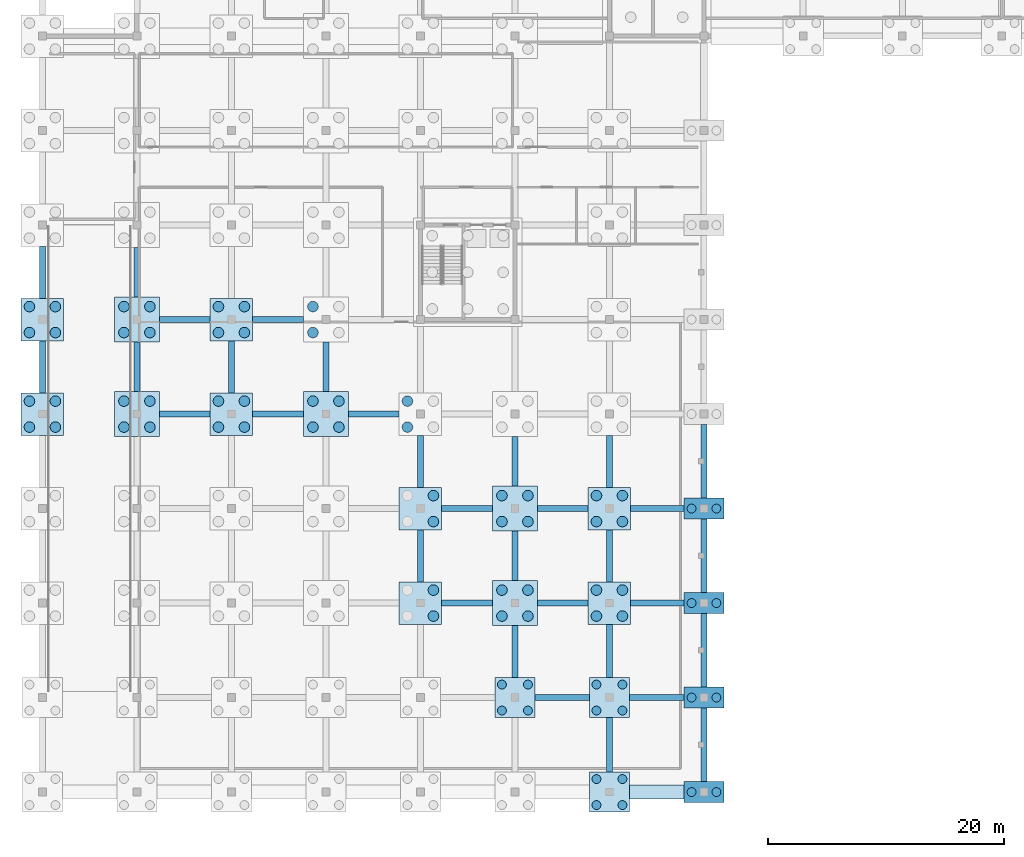
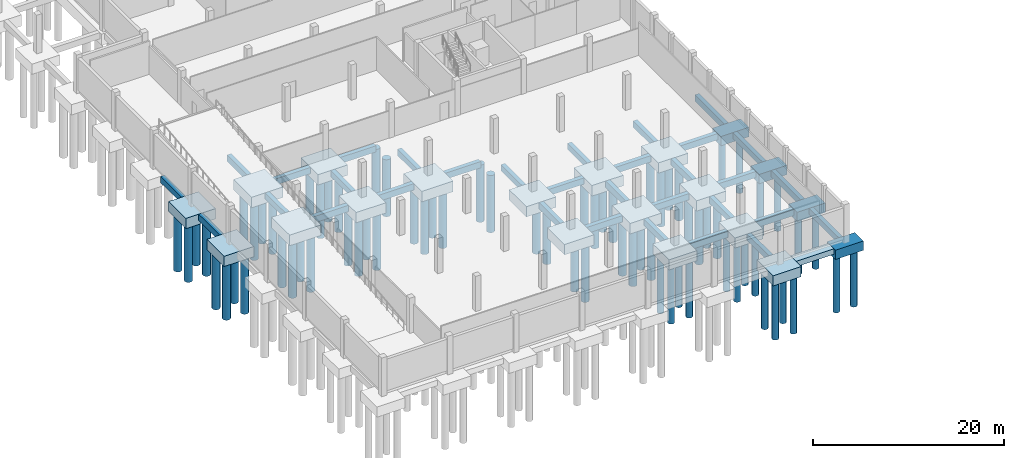
# One storey, part 2 of 22: 72 piles, 53 footings.
"""IFC4 building model written with IfcOpenShell, lengths in metres."""

from ifc_helpers import new_model, si_unit, direction, frame, origin, origin_2d, place, context, subcontext, project, spatial, polyline, rectangle, circle, outline, extrude, material, material_profile, profile_set, type_object, element, save


model = new_model("IFC4")

# Units and contexts
model_context = context("Model", 3, precision=1e-05, world=origin(), true_north=direction((0.0, 1.0)))
body_context = subcontext(model_context, "Body", "Model", "MODEL_VIEW")
ifc_project = project(units=[si_unit("LENGTHUNIT", "METRE"), si_unit("AREAUNIT", "SQUARE_METRE"), si_unit("VOLUMEUNIT", "CUBIC_METRE"), si_unit("PLANEANGLEUNIT", "RADIAN"), si_unit("MASSUNIT", "GRAM", prefix="KILO")], contexts=[model_context])

# Site, building, storey
site_placement = place(None, origin())
site = spatial("IfcSite", under=ifc_project, at=site_placement, CompositionType="ELEMENT")
building_placement = place(site_placement, origin())
building = spatial("IfcBuilding", under=site, at=building_placement, Name="Vharandega Faculty of Natural Sciences", CompositionType="ELEMENT")
storey_placement = place(building_placement, frame((0.0, 0.0, -4.5)))
storey = spatial("IfcBuildingStorey", under=building, at=storey_placement, Name="B01", CompositionType="ELEMENT", Elevation=-4.5)

# Piles
ifc_material_1 = material(Name="Concrete C35/45", Category="concrete")
ifc_material_profile_1 = material_profile(ifc_material_1, circle(Radius=0.375, at=origin_2d()), Name="PILE 750")
ifc_profile_set_1 = profile_set([ifc_material_profile_1], Name="Concrete C35/45")
pile_type_1 = type_object("IfcPileType", Name="Bored Pile 750", PredefinedType="BORED", material=ifc_profile_set_1)
for number, where, z_axis, x_axis, name in (
    (1, (38.89990234375, 6.89990234375, -1.64990234375), (0.0, 0.0, -1.0), (1.0, 0.0, 0.0), "Bored Pile PL-6B-01"),
    (2, (41.10009765625, 6.89990234375, -1.64990234375), (0.0, 0.0, -1.0), (1.0, 0.0, 0.0), "Bored Pile PL-6B-02"),
    (3, (41.10009765625, 9.10009765625, -1.64990234375), (0.0, 0.0, -1.0), (1.0, 0.0, 0.0), "Bored Pile PL-6B-03"),
    (4, (38.89990234375, 9.10009765625, -1.64990234375), (0.0, 0.0, -1.0), (1.0, 0.0, 0.0), "Bored Pile PL-6B-04"),
    (5, (46.89990234375, -1.10009765625, -1.64990234375), (0.0, 0.0, -1.0), (1.0, 0.0, 0.0), "Bored Pile PL-7A-01"),
    (6, (49.10009765625, -1.10009765625, -1.64990234375), (0.0, 0.0, -1.0), (1.0, 0.0, 0.0), "Bored Pile PL-7A-02"),
    (7, (49.10009765625, 1.10009765625, -1.64990234375), (0.0, 0.0, -1.0), (1.0, 0.0, 0.0), "Bored Pile PL-7A-03"),
    (8, (46.89990234375, 1.10009765625, -1.64990234375), (0.0, 0.0, -1.0), (1.0, 0.0, 0.0), "Bored Pile PL-7A-04"),
    (9, (46.89990234375, 6.89990234375, -1.64990234375), (0.0, 0.0, -1.0), (1.0, 0.0, 0.0), "Bored Pile PL-7B-01"),
    (10, (49.10009765625, 6.89990234375, -1.64990234375), (0.0, 0.0, -1.0), (1.0, 0.0, 0.0), "Bored Pile PL-7B-02"),
    (11, (49.10009765625, 9.10009765625, -1.64990234375), (0.0, 0.0, -1.0), (1.0, 0.0, 0.0), "Bored Pile PL-7B-03"),
    (12, (46.89990234375, 9.10009765625, -1.64990234375), (0.0, 0.0, -1.0), (1.0, 0.0, 0.0), "Bored Pile PL-7B-04"),
):
    element("IfcPile", number, at=place(storey_placement, frame(where, z_axis=z_axis, x_axis=x_axis)), inside=storey, type_object=pile_type_1, Name=name, PredefinedType="BORED", context=body_context, shape_type="SweptSolid", body=[
        extrude(circle(Radius=0.375, at=origin_2d()), origin(), (0.0, 0.0, 1.0), 7.35009765625),
    ])
for number, where, z_axis, x_axis, name in (
    (13, (54.949951171875, 0.0, -1.550048828125), (0.0, 0.0, -1.0), (1.0, 0.0, 0.0), "Bored Pile PL-8A-01"),
    (14, (57.050048828125, 0.0, -1.550048828125), (0.0, 0.0, -1.0), (1.0, 0.0, 0.0), "Bored Pile PL-8A-02"),
    (15, (54.949951171875, 8.0, -1.550048828125), (0.0, 0.0, -1.0), (1.0, 0.0, 0.0), "Bored Pile PL-8B-01"),
    (16, (57.050048828125, 8.0, -1.550048828125), (0.0, 0.0, -1.0), (1.0, 0.0, 0.0), "Bored Pile PL-8B-02"),
    (17, (54.949951171875, 16.0, -1.550048828125), (0.0, 0.0, -1.0), (1.0, 0.0, 0.0), "Bored Pile PL-8C-01"),
    (18, (57.050048828125, 16.0, -1.550048828125), (0.0, 0.0, -1.0), (1.0, 0.0, 0.0), "Bored Pile PL-8C-02"),
    (19, (54.949951171875, 24.0, -1.550048828125), (0.0, 0.0, -1.0), (1.0, 0.0, 0.0), "Bored Pile PL-8D-01"),
    (20, (57.050048828125, 24.0, -1.550048828125), (0.0, 0.0, -1.0), (1.0, 0.0, 0.0), "Bored Pile PL-8D-02"),
):
    element("IfcPile", number, at=place(storey_placement, frame(where, z_axis=z_axis, x_axis=x_axis)), inside=storey, type_object=pile_type_1, Name=name, PredefinedType="BORED", context=body_context, shape_type="SweptSolid", body=[
        extrude(circle(Radius=0.375, at=origin_2d()), origin(), (0.0, 0.0, 1.0), 7.449951171875),
    ])
ifc_material_2 = material(Name="Concrete C35/45", Category="concrete")
ifc_material_profile_2 = material_profile(ifc_material_2, circle(Radius=0.449951171875, at=origin_2d()), Name="PILE 900")
ifc_profile_set_2 = profile_set([ifc_material_profile_2], Name="Concrete C35/45")
pile_type_2 = type_object("IfcPileType", Name="Bored Pile 900", PredefinedType="BORED", material=ifc_profile_set_2)
for number, where, z_axis, x_axis, name in (
    (21, (-1.10009765625, 30.89990234375, -1.669921875), (0.0, 0.0, -1.0), (1.0, 0.0, 0.0), "Bored Pile PL-1E-01"),
    (22, (1.10009765625, 30.89990234375, -1.669921875), (0.0, 0.0, -1.0), (1.0, 0.0, 0.0), "Bored Pile PL-1E-02"),
    (23, (1.10009765625, 33.10009765625, -1.669921875), (0.0, 0.0, -1.0), (1.0, 0.0, 0.0), "Bored Pile PL-1E-03"),
    (24, (-1.10009765625, 33.10009765625, -1.669921875), (0.0, 0.0, -1.0), (1.0, 0.0, 0.0), "Bored Pile PL-1E-04"),
    (25, (-1.10009765625, 38.89990234375, -1.669921875), (0.0, 0.0, -1.0), (1.0, 0.0, 0.0), "Bored Pile PL-1F-01"),
    (26, (1.10009765625, 38.89990234375, -1.669921875), (0.0, 0.0, -1.0), (1.0, 0.0, 0.0), "Bored Pile PL-1F-02"),
    (27, (1.10009765625, 41.10009765625, -1.669921875), (0.0, 0.0, -1.0), (1.0, 0.0, 0.0), "Bored Pile PL-1F-03"),
    (28, (-1.10009765625, 41.10009765625, -1.669921875), (0.0, 0.0, -1.0), (1.0, 0.0, 0.0), "Bored Pile PL-1F-04"),
):
    element("IfcPile", number, at=place(storey_placement, frame(where, z_axis=z_axis, x_axis=x_axis)), inside=storey, type_object=pile_type_2, Name=name, PredefinedType="BORED", context=body_context, shape_type="SweptSolid", body=[
        extrude(circle(Radius=0.449951171875, at=origin_2d()), origin(), (0.0, 0.0, 1.0), 7.330078125),
    ])
for number, where, z_axis, x_axis, name in (
    (29, (6.89990234375, 30.89990234375, -1.699951171875), (0.0, 0.0, -1.0), (1.0, 0.0, 0.0), "Bored Pile PL-2E-01"),
    (30, (9.10009765625, 30.89990234375, -1.699951171875), (0.0, 0.0, -1.0), (1.0, 0.0, 0.0), "Bored Pile PL-2E-02"),
    (31, (9.10009765625, 33.10009765625, -1.699951171875), (0.0, 0.0, -1.0), (1.0, 0.0, 0.0), "Bored Pile PL-2E-03"),
    (32, (6.89990234375, 33.10009765625, -1.699951171875), (0.0, 0.0, -1.0), (1.0, 0.0, 0.0), "Bored Pile PL-2E-04"),
    (33, (6.89990234375, 38.89990234375, -1.699951171875), (0.0, 0.0, -1.0), (1.0, 0.0, 0.0), "Bored Pile PL-2F-01"),
    (34, (9.10009765625, 38.89990234375, -1.699951171875), (0.0, 0.0, -1.0), (1.0, 0.0, 0.0), "Bored Pile PL-2F-02"),
    (35, (9.10009765625, 41.10009765625, -1.699951171875), (0.0, 0.0, -1.0), (1.0, 0.0, 0.0), "Bored Pile PL-2F-03"),
    (36, (6.89990234375, 41.10009765625, -1.699951171875), (0.0, 0.0, -1.0), (1.0, 0.0, 0.0), "Bored Pile PL-2F-04"),
):
    element("IfcPile", number, at=place(storey_placement, frame(where, z_axis=z_axis, x_axis=x_axis)), inside=storey, type_object=pile_type_2, Name=name, PredefinedType="BORED", context=body_context, shape_type="SweptSolid", body=[
        extrude(circle(Radius=0.449951171875, at=origin_2d()), origin(), (0.0, 0.0, 1.0), 7.300048828125),
    ])
for number, where, z_axis, x_axis, name in (
    (37, (14.89990234375, 30.89990234375, -1.669921875), (0.0, 0.0, -1.0), (1.0, 0.0, 0.0), "Bored Pile PL-3E-01"),
    (38, (17.10009765625, 30.89990234375, -1.669921875), (0.0, 0.0, -1.0), (1.0, 0.0, 0.0), "Bored Pile PL-3E-02"),
    (39, (17.10009765625, 33.10009765625, -1.669921875), (0.0, 0.0, -1.0), (1.0, 0.0, 0.0), "Bored Pile PL-3E-03"),
    (40, (14.89990234375, 33.10009765625, -1.669921875), (0.0, 0.0, -1.0), (1.0, 0.0, 0.0), "Bored Pile PL-3E-04"),
    (41, (14.89990234375, 38.89990234375, -1.669921875), (0.0, 0.0, -1.0), (1.0, 0.0, 0.0), "Bored Pile PL-3F-01"),
    (42, (17.10009765625, 38.89990234375, -1.669921875), (0.0, 0.0, -1.0), (1.0, 0.0, 0.0), "Bored Pile PL-3F-02"),
    (43, (17.10009765625, 41.10009765625, -1.669921875), (0.0, 0.0, -1.0), (1.0, 0.0, 0.0), "Bored Pile PL-3F-03"),
    (44, (14.89990234375, 41.10009765625, -1.669921875), (0.0, 0.0, -1.0), (1.0, 0.0, 0.0), "Bored Pile PL-3F-04"),
):
    element("IfcPile", number, at=place(storey_placement, frame(where, z_axis=z_axis, x_axis=x_axis)), inside=storey, type_object=pile_type_2, Name=name, PredefinedType="BORED", context=body_context, shape_type="SweptSolid", body=[
        extrude(circle(Radius=0.449951171875, at=origin_2d()), origin(), (0.0, 0.0, 1.0), 7.330078125),
    ])
for number, where, z_axis, x_axis, name in (
    (45, (22.89990234375, 30.89990234375, -1.699951171875), (0.0, 0.0, -1.0), (1.0, 0.0, 0.0), "Bored Pile PL-4E-01"),
    (46, (25.10009765625, 30.89990234375, -1.699951171875), (0.0, 0.0, -1.0), (1.0, 0.0, 0.0), "Bored Pile PL-4E-02"),
    (47, (25.10009765625, 33.10009765625, -1.699951171875), (0.0, 0.0, -1.0), (1.0, 0.0, 0.0), "Bored Pile PL-4E-03"),
    (48, (22.89990234375, 33.10009765625, -1.699951171875), (0.0, 0.0, -1.0), (1.0, 0.0, 0.0), "Bored Pile PL-4E-04"),
    (49, (22.89990234375, 38.89990234375, -1.699951171875), (0.0, 0.0, -1.0), (1.0, 0.0, 0.0), "Bored Pile PL-4F-01"),
    (50, (22.89990234375, 41.10009765625, -1.699951171875), (0.0, 0.0, -1.0), (1.0, 0.0, 0.0), "Bored Pile PL-4F-04"),
):
    element("IfcPile", number, at=place(storey_placement, frame(where, z_axis=z_axis, x_axis=x_axis)), inside=storey, type_object=pile_type_2, Name=name, PredefinedType="BORED", context=body_context, shape_type="SweptSolid", body=[
        extrude(circle(Radius=0.449951171875, at=origin_2d()), origin(), (0.0, 0.0, 1.0), 7.300048828125),
    ])
for number, where, z_axis, x_axis, name in (
    (51, (33.10009765625, 14.89990234375, -1.669921875), (0.0, 0.0, -1.0), (1.0, 0.0, 0.0), "Bored Pile PL-5C-02"),
    (52, (33.10009765625, 17.10009765625, -1.669921875), (0.0, 0.0, -1.0), (1.0, 0.0, 0.0), "Bored Pile PL-5C-03"),
    (53, (33.10009765625, 22.89990234375, -1.669921875), (0.0, 0.0, -1.0), (1.0, 0.0, 0.0), "Bored Pile PL-5D-02"),
    (54, (33.10009765625, 25.10009765625, -1.669921875), (0.0, 0.0, -1.0), (1.0, 0.0, 0.0), "Bored Pile PL-5D-03"),
    (55, (30.89990234375, 30.89990234375, -1.669921875), (0.0, 0.0, -1.0), (1.0, 0.0, 0.0), "Bored Pile PL-5E-01"),
    (56, (30.89990234375, 33.10009765625, -1.669921875), (0.0, 0.0, -1.0), (1.0, 0.0, 0.0), "Bored Pile PL-5E-04"),
):
    element("IfcPile", number, at=place(storey_placement, frame(where, z_axis=z_axis, x_axis=x_axis)), inside=storey, type_object=pile_type_2, Name=name, PredefinedType="BORED", context=body_context, shape_type="SweptSolid", body=[
        extrude(circle(Radius=0.449951171875, at=origin_2d()), origin(), (0.0, 0.0, 1.0), 7.330078125),
    ])
for number, where, z_axis, x_axis, name in (
    (57, (38.89990234375, 14.89990234375, -1.699951171875), (0.0, 0.0, -1.0), (1.0, 0.0, 0.0), "Bored Pile PL-6C-01"),
    (58, (41.10009765625, 14.89990234375, -1.699951171875), (0.0, 0.0, -1.0), (1.0, 0.0, 0.0), "Bored Pile PL-6C-02"),
    (59, (41.10009765625, 17.10009765625, -1.699951171875), (0.0, 0.0, -1.0), (1.0, 0.0, 0.0), "Bored Pile PL-6C-03"),
    (60, (38.89990234375, 17.10009765625, -1.699951171875), (0.0, 0.0, -1.0), (1.0, 0.0, 0.0), "Bored Pile PL-6C-04"),
    (61, (38.89990234375, 22.89990234375, -1.699951171875), (0.0, 0.0, -1.0), (1.0, 0.0, 0.0), "Bored Pile PL-6D-01"),
    (62, (41.10009765625, 22.89990234375, -1.699951171875), (0.0, 0.0, -1.0), (1.0, 0.0, 0.0), "Bored Pile PL-6D-02"),
    (63, (41.10009765625, 25.10009765625, -1.699951171875), (0.0, 0.0, -1.0), (1.0, 0.0, 0.0), "Bored Pile PL-6D-03"),
    (64, (38.89990234375, 25.10009765625, -1.699951171875), (0.0, 0.0, -1.0), (1.0, 0.0, 0.0), "Bored Pile PL-6D-04"),
):
    element("IfcPile", number, at=place(storey_placement, frame(where, z_axis=z_axis, x_axis=x_axis)), inside=storey, type_object=pile_type_2, Name=name, PredefinedType="BORED", context=body_context, shape_type="SweptSolid", body=[
        extrude(circle(Radius=0.449951171875, at=origin_2d()), origin(), (0.0, 0.0, 1.0), 7.300048828125),
    ])
for number, where, z_axis, x_axis, name in (
    (65, (46.89990234375, 14.89990234375, -1.669921875), (0.0, 0.0, -1.0), (1.0, 0.0, 0.0), "Bored Pile PL-7C-01"),
    (66, (49.10009765625, 14.89990234375, -1.669921875), (0.0, 0.0, -1.0), (1.0, 0.0, 0.0), "Bored Pile PL-7C-02"),
    (67, (49.10009765625, 17.10009765625, -1.669921875), (0.0, 0.0, -1.0), (1.0, 0.0, 0.0), "Bored Pile PL-7C-03"),
    (68, (46.89990234375, 17.10009765625, -1.669921875), (0.0, 0.0, -1.0), (1.0, 0.0, 0.0), "Bored Pile PL-7C-04"),
    (69, (46.89990234375, 22.89990234375, -1.669921875), (0.0, 0.0, -1.0), (1.0, 0.0, 0.0), "Bored Pile PL-7D-01"),
    (70, (49.10009765625, 22.89990234375, -1.669921875), (0.0, 0.0, -1.0), (1.0, 0.0, 0.0), "Bored Pile PL-7D-02"),
    (71, (49.10009765625, 25.10009765625, -1.669921875), (0.0, 0.0, -1.0), (1.0, 0.0, 0.0), "Bored Pile PL-7D-03"),
    (72, (46.89990234375, 25.10009765625, -1.669921875), (0.0, 0.0, -1.0), (1.0, 0.0, 0.0), "Bored Pile PL-7D-04"),
):
    element("IfcPile", number, at=place(storey_placement, frame(where, z_axis=z_axis, x_axis=x_axis)), inside=storey, type_object=pile_type_2, Name=name, PredefinedType="BORED", context=body_context, shape_type="SweptSolid", body=[
        extrude(circle(Radius=0.449951171875, at=origin_2d()), origin(), (0.0, 0.0, 1.0), 7.330078125),
    ])

# Footings
ifc_material_3 = material(Name="Concrete C35/45", Category="concrete")
footing_type_1 = type_object("IfcFootingType", Name="Ground Tie Beam 500x800", PredefinedType="FOOTING_BEAM", material=ifc_material_3)
footing_1_placement = place(storey_placement, frame((0.0, 0.0, -1.25)))
element("IfcFooting", 73, at=footing_1_placement, inside=storey, type_object=footing_type_1, Name="Substructure Tie FND-GB-X005", PredefinedType="FOOTING_BEAM", context=body_context, shape_type="SweptSolid", body=[
    extrude(outline(polyline([(41.699951171875, 7.75), (46.300048828125, 7.75), (46.300048828125, 8.25), (41.699951171875, 8.25), (41.699951171875, 7.75)])), origin(), (0.0, 0.0, 1.0), 0.800048828125),
])
footing_2_placement = place(storey_placement, frame((0.0, 0.0, -1.25)))
element("IfcFooting", 74, at=footing_2_placement, inside=storey, type_object=footing_type_1, Name="Substructure Tie FND-GB-X006", PredefinedType="FOOTING_BEAM", context=body_context, shape_type="SweptSolid", body=[
    extrude(outline(polyline([(49.699951171875, 7.75), (54.300048828125, 7.75), (54.300048828125, 8.25), (49.699951171875, 8.25), (49.699951171875, 7.75)])), origin(), (0.0, 0.0, 1.0), 0.800048828125),
])
footing_3_placement = place(storey_placement, frame((0.0, 0.0, -1.25)))
element("IfcFooting", 75, at=footing_3_placement, inside=storey, type_object=footing_type_1, Name="Substructure Tie FND-GB-X010", PredefinedType="FOOTING_BEAM", context=body_context, shape_type="SweptSolid", body=[
    extrude(outline(polyline([(33.800048828125, 15.75), (38.10009765625, 15.75), (38.10009765625, 16.25), (33.800048828125, 16.25), (33.800048828125, 15.75)])), origin(), (0.0, 0.0, 1.0), 0.800048828125),
])
footing_4_placement = place(storey_placement, frame((0.0, 0.0, -1.25)))
element("IfcFooting", 76, at=footing_4_placement, inside=storey, type_object=footing_type_1, Name="Substructure Tie FND-GB-X011", PredefinedType="FOOTING_BEAM", context=body_context, shape_type="SweptSolid", body=[
    extrude(outline(polyline([(41.89990234375, 15.75), (46.199951171875, 15.75), (46.199951171875, 16.25), (41.89990234375, 16.25), (41.89990234375, 15.75)])), origin(), (0.0, 0.0, 1.0), 0.800048828125),
])
footing_5_placement = place(storey_placement, frame((0.0, 0.0, -1.25)))
element("IfcFooting", 77, at=footing_5_placement, inside=storey, type_object=footing_type_1, Name="Substructure Tie FND-GB-X012", PredefinedType="FOOTING_BEAM", context=body_context, shape_type="SweptSolid", body=[
    extrude(outline(polyline([(49.800048828125, 15.75), (54.300048828125, 15.75), (54.300048828125, 16.25), (49.800048828125, 16.25), (49.800048828125, 15.75)])), origin(), (0.0, 0.0, 1.0), 0.800048828125),
])
footing_6_placement = place(storey_placement, frame((0.0, 0.0, -1.25)))
element("IfcFooting", 78, at=footing_6_placement, inside=storey, type_object=footing_type_1, Name="Substructure Tie FND-GB-X016", PredefinedType="FOOTING_BEAM", context=body_context, shape_type="SweptSolid", body=[
    extrude(outline(polyline([(33.800048828125, 23.75), (38.10009765625, 23.75), (38.10009765625, 24.25), (33.800048828125, 24.25), (33.800048828125, 23.75)])), origin(), (0.0, 0.0, 1.0), 0.800048828125),
])
footing_7_placement = place(storey_placement, frame((0.0, 0.0, -1.25)))
element("IfcFooting", 79, at=footing_7_placement, inside=storey, type_object=footing_type_1, Name="Substructure Tie FND-GB-X017", PredefinedType="FOOTING_BEAM", context=body_context, shape_type="SweptSolid", body=[
    extrude(outline(polyline([(41.89990234375, 23.75), (46.199951171875, 23.75), (46.199951171875, 24.25), (41.89990234375, 24.25), (41.89990234375, 23.75)])), origin(), (0.0, 0.0, 1.0), 0.800048828125),
])
footing_8_placement = place(storey_placement, frame((0.0, 0.0, -1.25)))
element("IfcFooting", 80, at=footing_8_placement, inside=storey, type_object=footing_type_1, Name="Substructure Tie FND-GB-X018", PredefinedType="FOOTING_BEAM", context=body_context, shape_type="SweptSolid", body=[
    extrude(outline(polyline([(49.800048828125, 23.75), (54.300048828125, 23.75), (54.300048828125, 24.25), (49.800048828125, 24.25), (49.800048828125, 23.75)])), origin(), (0.0, 0.0, 1.0), 0.800048828125),
])
footing_9_placement = place(storey_placement, frame((0.0, 0.0, -1.25)))
element("IfcFooting", 81, at=footing_9_placement, inside=storey, type_object=footing_type_1, Name="Substructure Tie FND-GB-X019", PredefinedType="FOOTING_BEAM", context=body_context, shape_type="SweptSolid", body=[
    extrude(outline(polyline([(9.89990234375, 31.75), (14.199951171875, 31.75), (14.199951171875, 32.25), (9.89990234375, 32.25), (9.89990234375, 31.75)])), origin(), (0.0, 0.0, 1.0), 0.800048828125),
])
footing_10_placement = place(storey_placement, frame((0.0, 0.0, -1.25)))
element("IfcFooting", 82, at=footing_10_placement, inside=storey, type_object=footing_type_1, Name="Substructure Tie FND-GB-X020", PredefinedType="FOOTING_BEAM", context=body_context, shape_type="SweptSolid", body=[
    extrude(outline(polyline([(17.800048828125, 31.75), (22.10009765625, 31.75), (22.10009765625, 32.25), (17.800048828125, 32.25), (17.800048828125, 31.75)])), origin(), (0.0, 0.0, 1.0), 0.800048828125),
])
footing_11_placement = place(storey_placement, frame((0.0, 0.0, -1.25)))
element("IfcFooting", 83, at=footing_11_placement, inside=storey, type_object=footing_type_1, Name="Substructure Tie FND-GB-X021", PredefinedType="FOOTING_BEAM", context=body_context, shape_type="SweptSolid", body=[
    extrude(outline(polyline([(25.89990234375, 31.75), (30.199951171875, 31.75), (30.199951171875, 32.25), (25.89990234375, 32.25), (25.89990234375, 31.75)])), origin(), (0.0, 0.0, 1.0), 0.800048828125),
])
footing_12_placement = place(storey_placement, frame((0.0, 0.0, -1.25)))
element("IfcFooting", 84, at=footing_12_placement, inside=storey, type_object=footing_type_1, Name="Substructure Tie FND-GB-X025", PredefinedType="FOOTING_BEAM", context=body_context, shape_type="SweptSolid", body=[
    extrude(outline(polyline([(9.89990234375, 39.75), (14.199951171875, 39.75), (14.199951171875, 40.25), (9.89990234375, 40.25), (9.89990234375, 39.75)])), origin(), (0.0, 0.0, 1.0), 0.800048828125),
])
footing_13_placement = place(storey_placement, frame((0.0, 0.0, -1.25)))
element("IfcFooting", 85, at=footing_13_placement, inside=storey, type_object=footing_type_1, Name="Substructure Tie FND-GB-X026", PredefinedType="FOOTING_BEAM", context=body_context, shape_type="SweptSolid", body=[
    extrude(outline(polyline([(17.800048828125, 39.75), (22.10009765625, 39.75), (22.10009765625, 40.25), (17.800048828125, 40.25), (17.800048828125, 39.75)])), origin(), (0.0, 0.0, 1.0), 0.800048828125),
])
footing_14_placement = place(storey_placement, frame((0.0, 0.0, -1.25)))
element("IfcFooting", 86, at=footing_14_placement, inside=storey, type_object=footing_type_1, Name="Substructure Tie FND-GB-Y130", PredefinedType="FOOTING_BEAM", context=body_context, shape_type="SweptSolid", body=[
    extrude(outline(polyline([(-0.25, 33.800048828125), (0.25, 33.800048828125), (0.25, 38.199951171875), (-0.25, 38.199951171875), (-0.25, 33.800048828125)])), origin(), (0.0, 0.0, 1.0), 0.800048828125),
])
footing_15_placement = place(storey_placement, frame((0.0, 0.0, -1.25)))
element("IfcFooting", 87, at=footing_15_placement, inside=storey, type_object=footing_type_1, Name="Substructure Tie FND-GB-Y131", PredefinedType="FOOTING_BEAM", context=body_context, shape_type="SweptSolid", body=[
    extrude(outline(polyline([(-0.25, 41.800048828125), (0.25, 41.800048828125), (0.25, 46.199951171875), (-0.25, 46.199951171875), (-0.25, 41.800048828125)])), origin(), (0.0, 0.0, 1.0), 0.800048828125),
])
footing_16_placement = place(storey_placement, frame((0.0, 0.0, -1.25)))
element("IfcFooting", 88, at=footing_16_placement, inside=storey, type_object=footing_type_1, Name="Substructure Tie FND-GB-Y142", PredefinedType="FOOTING_BEAM", context=body_context, shape_type="SweptSolid", body=[
    extrude(outline(polyline([(7.75, 33.89990234375), (8.25, 33.89990234375), (8.25, 38.10009765625), (7.75, 38.10009765625), (7.75, 33.89990234375)])), origin(), (0.0, 0.0, 1.0), 0.800048828125),
])
footing_17_placement = place(storey_placement, frame((0.0, 0.0, -1.25)))
element("IfcFooting", 89, at=footing_17_placement, inside=storey, type_object=footing_type_1, Name="Substructure Tie FND-GB-Y143", PredefinedType="FOOTING_BEAM", context=body_context, shape_type="SweptSolid", body=[
    extrude(outline(polyline([(7.75, 41.89990234375), (8.25, 41.89990234375), (8.25, 46.10009765625), (7.75, 46.10009765625), (7.75, 41.89990234375)])), origin(), (0.0, 0.0, 1.0), 0.800048828125),
])
footing_18_placement = place(storey_placement, frame((0.0, 0.0, -1.25)))
element("IfcFooting", 90, at=footing_18_placement, inside=storey, type_object=footing_type_1, Name="Substructure Tie FND-GB-Y154", PredefinedType="FOOTING_BEAM", context=body_context, shape_type="SweptSolid", body=[
    extrude(outline(polyline([(15.75, 33.800048828125), (16.25, 33.800048828125), (16.25, 38.199951171875), (15.75, 38.199951171875), (15.75, 33.800048828125)])), origin(), (0.0, 0.0, 1.0), 0.800048828125),
])
footing_19_placement = place(storey_placement, frame((0.0, 0.0, -1.25)))
element("IfcFooting", 91, at=footing_19_placement, inside=storey, type_object=footing_type_1, Name="Substructure Tie FND-GB-Y166", PredefinedType="FOOTING_BEAM", context=body_context, shape_type="SweptSolid", body=[
    extrude(outline(polyline([(23.75, 33.89990234375), (24.25, 33.89990234375), (24.25, 38.10009765625), (23.75, 38.10009765625), (23.75, 33.89990234375)])), origin(), (0.0, 0.0, 1.0), 0.800048828125),
])
footing_20_placement = place(storey_placement, frame((0.0, 0.0, -1.25)))
element("IfcFooting", 92, at=footing_20_placement, inside=storey, type_object=footing_type_1, Name="Substructure Tie FND-GB-Y176", PredefinedType="FOOTING_BEAM", context=body_context, shape_type="SweptSolid", body=[
    extrude(outline(polyline([(31.75, 17.800048828125), (32.25, 17.800048828125), (32.25, 22.199951171875), (31.75, 22.199951171875), (31.75, 17.800048828125)])), origin(), (0.0, 0.0, 1.0), 0.800048828125),
])
footing_21_placement = place(storey_placement, frame((0.0, 0.0, -1.25)))
element("IfcFooting", 93, at=footing_21_placement, inside=storey, type_object=footing_type_1, Name="Substructure Tie FND-GB-Y177", PredefinedType="FOOTING_BEAM", context=body_context, shape_type="SweptSolid", body=[
    extrude(outline(polyline([(31.75, 25.800048828125), (32.25, 25.800048828125), (32.25, 30.199951171875), (31.75, 30.199951171875), (31.75, 25.800048828125)])), origin(), (0.0, 0.0, 1.0), 0.800048828125),
])
footing_22_placement = place(storey_placement, frame((0.0, 0.0, -1.25)))
element("IfcFooting", 94, at=footing_22_placement, inside=storey, type_object=footing_type_1, Name="Substructure Tie FND-GB-Y186", PredefinedType="FOOTING_BEAM", context=body_context, shape_type="SweptSolid", body=[
    extrude(outline(polyline([(39.75, 9.699951171875), (40.25, 9.699951171875), (40.25, 14.10009765625), (39.75, 14.10009765625), (39.75, 9.699951171875)])), origin(), (0.0, 0.0, 1.0), 0.800048828125),
])
footing_23_placement = place(storey_placement, frame((0.0, 0.0, -1.25)))
element("IfcFooting", 95, at=footing_23_placement, inside=storey, type_object=footing_type_1, Name="Substructure Tie FND-GB-Y187", PredefinedType="FOOTING_BEAM", context=body_context, shape_type="SweptSolid", body=[
    extrude(outline(polyline([(39.75, 17.89990234375), (40.25, 17.89990234375), (40.25, 22.10009765625), (39.75, 22.10009765625), (39.75, 17.89990234375)])), origin(), (0.0, 0.0, 1.0), 0.800048828125),
])
footing_24_placement = place(storey_placement, frame((0.0, 0.0, -1.25)))
element("IfcFooting", 96, at=footing_24_placement, inside=storey, type_object=footing_type_1, Name="Substructure Tie FND-GB-Y188", PredefinedType="FOOTING_BEAM", context=body_context, shape_type="SweptSolid", body=[
    extrude(outline(polyline([(39.75, 25.89990234375), (40.25, 25.89990234375), (40.25, 30.10009765625), (39.75, 30.10009765625), (39.75, 25.89990234375)])), origin(), (0.0, 0.0, 1.0), 0.800048828125),
])
footing_25_placement = place(storey_placement, frame((0.0, 0.0, -1.25)))
element("IfcFooting", 97, at=footing_25_placement, inside=storey, type_object=footing_type_1, Name="Substructure Tie FND-GB-Y196", PredefinedType="FOOTING_BEAM", context=body_context, shape_type="SweptSolid", body=[
    extrude(outline(polyline([(47.75, 1.699951171875), (48.25, 1.699951171875), (48.25, 6.300048828125), (47.75, 6.300048828125), (47.75, 1.699951171875)])), origin(), (0.0, 0.0, 1.0), 0.800048828125),
])
footing_26_placement = place(storey_placement, frame((0.0, 0.0, -1.25)))
element("IfcFooting", 98, at=footing_26_placement, inside=storey, type_object=footing_type_1, Name="Substructure Tie FND-GB-Y197", PredefinedType="FOOTING_BEAM", context=body_context, shape_type="SweptSolid", body=[
    extrude(outline(polyline([(47.75, 9.699951171875), (48.25, 9.699951171875), (48.25, 14.199951171875), (47.75, 14.199951171875), (47.75, 9.699951171875)])), origin(), (0.0, 0.0, 1.0), 0.800048828125),
])
footing_27_placement = place(storey_placement, frame((0.0, 0.0, -1.25)))
element("IfcFooting", 99, at=footing_27_placement, inside=storey, type_object=footing_type_1, Name="Substructure Tie FND-GB-Y198", PredefinedType="FOOTING_BEAM", context=body_context, shape_type="SweptSolid", body=[
    extrude(outline(polyline([(47.75, 17.800048828125), (48.25, 17.800048828125), (48.25, 22.199951171875), (47.75, 22.199951171875), (47.75, 17.800048828125)])), origin(), (0.0, 0.0, 1.0), 0.800048828125),
])
footing_28_placement = place(storey_placement, frame((0.0, 0.0, -1.25)))
element("IfcFooting", 100, at=footing_28_placement, inside=storey, type_object=footing_type_1, Name="Substructure Tie FND-GB-Y199", PredefinedType="FOOTING_BEAM", context=body_context, shape_type="SweptSolid", body=[
    extrude(outline(polyline([(47.75, 25.800048828125), (48.25, 25.800048828125), (48.25, 30.199951171875), (47.75, 30.199951171875), (47.75, 25.800048828125)])), origin(), (0.0, 0.0, 1.0), 0.800048828125),
])
footing_29_placement = place(storey_placement, frame((0.0, 0.0, -1.25)))
element("IfcFooting", 101, at=footing_29_placement, inside=storey, type_object=footing_type_1, Name="Substructure Tie FND-GB-Y207", PredefinedType="FOOTING_BEAM", context=body_context, shape_type="SweptSolid", body=[
    extrude(outline(polyline([(55.75, 0.89990234375), (56.25, 0.89990234375), (56.25, 7.10009765625), (55.75, 7.10009765625), (55.75, 0.89990234375)])), origin(), (0.0, 0.0, 1.0), 0.800048828125),
])
footing_30_placement = place(storey_placement, frame((0.0, 0.0, -1.25)))
element("IfcFooting", 102, at=footing_30_placement, inside=storey, type_object=footing_type_1, Name="Substructure Tie FND-GB-Y208", PredefinedType="FOOTING_BEAM", context=body_context, shape_type="SweptSolid", body=[
    extrude(outline(polyline([(55.75, 8.89990234375), (56.25, 8.89990234375), (56.25, 15.10009765625), (55.75, 15.10009765625), (55.75, 8.89990234375)])), origin(), (0.0, 0.0, 1.0), 0.800048828125),
])
footing_31_placement = place(storey_placement, frame((0.0, 0.0, -1.25)))
element("IfcFooting", 103, at=footing_31_placement, inside=storey, type_object=footing_type_1, Name="Substructure Tie FND-GB-Y209", PredefinedType="FOOTING_BEAM", context=body_context, shape_type="SweptSolid", body=[
    extrude(outline(polyline([(55.75, 16.89990234375), (56.25, 16.89990234375), (56.25, 23.10009765625), (55.75, 23.10009765625), (55.75, 16.89990234375)])), origin(), (0.0, 0.0, 1.0), 0.800048828125),
])
footing_32_placement = place(storey_placement, frame((0.0, 0.0, -1.25)))
element("IfcFooting", 104, at=footing_32_placement, inside=storey, type_object=footing_type_1, Name="Substructure Tie FND-GB-Y210", PredefinedType="FOOTING_BEAM", context=body_context, shape_type="SweptSolid", body=[
    extrude(outline(polyline([(55.75, 24.89990234375), (56.25, 24.89990234375), (56.25, 31.10009765625), (55.75, 31.10009765625), (55.75, 24.89990234375)])), origin(), (0.0, 0.0, 1.0), 0.800048828125),
])
ifc_material_4 = material(Name="Concrete C35/45", Category="concrete")
footing_type_2 = type_object("IfcFootingType", Name="Perimeter Strip Footing 1200x700", PredefinedType="STRIP_FOOTING", material=ifc_material_4)
footing_33_placement = place(storey_placement, frame((0.0, 0.0, -1.14990234375)))
element("IfcFooting", 105, at=footing_33_placement, inside=storey, type_object=footing_type_2, Name="Substructure Tie FND-SF-X007", PredefinedType="STRIP_FOOTING", context=body_context, shape_type="SweptSolid", body=[
    extrude(outline(polyline([(49.699951171875, -0.60009765625), (54.300048828125, -0.60009765625), (54.300048828125, 0.60009765625), (49.699951171875, 0.60009765625), (49.699951171875, -0.60009765625)])), origin(), (0.0, 0.0, 1.0), 0.699951171875),
])
ifc_material_5 = material(Name="Concrete C35/45", Category="concrete")
footing_type_3 = type_object("IfcFootingType", Name="Pile Cap 2P 3400x1800x1200", PredefinedType="PILE_CAP", material=ifc_material_5)
for number, where, z_axis, x_axis, name in (
    (106, (56.0, 0.0, -1.64990234375), (0.0, 0.0, 1.0), (1.0, 0.0, 0.0), "Pile Cap 8/A"),
    (107, (56.0, 8.0, -1.64990234375), (0.0, 0.0, 1.0), (1.0, 0.0, 0.0), "Pile Cap 8/B"),
    (108, (56.0, 16.0, -1.64990234375), (0.0, 0.0, 1.0), (1.0, 0.0, 0.0), "Pile Cap 8/C"),
    (109, (56.0, 24.0, -1.64990234375), (0.0, 0.0, 1.0), (1.0, 0.0, 0.0), "Pile Cap 8/D"),
):
    element("IfcFooting", number, at=place(storey_placement, frame(where, z_axis=z_axis, x_axis=x_axis)), inside=storey, type_object=footing_type_3, Name=name, PredefinedType="PILE_CAP", context=body_context, shape_type="SweptSolid", body=[
        extrude(rectangle(XDim=3.39990234375, YDim=1.800048828125, at=origin_2d()), origin(), (0.0, 0.0, 1.0), 1.199951171875),
    ])
ifc_material_6 = material(Name="Concrete C35/45", Category="concrete")
footing_type_4 = type_object("IfcFootingType", Name="Pile Cap 4P 3400x3400x1300", PredefinedType="PILE_CAP", material=ifc_material_6)
for number, where, z_axis, x_axis, name in (
    (110, (40.0, 8.0, -1.75), (0.0, 0.0, 1.0), (1.0, 0.0, 0.0), "Pile Cap 6/B"),
    (111, (48.0, 0.0, -1.75), (0.0, 0.0, 1.0), (1.0, 0.0, 0.0), "Pile Cap 7/A"),
    (112, (48.0, 8.0, -1.75), (0.0, 0.0, 1.0), (1.0, 0.0, 0.0), "Pile Cap 7/B"),
):
    element("IfcFooting", number, at=place(storey_placement, frame(where, z_axis=z_axis, x_axis=x_axis)), inside=storey, type_object=footing_type_4, Name=name, PredefinedType="PILE_CAP", context=body_context, shape_type="SweptSolid", body=[
        extrude(rectangle(XDim=3.39990234375, YDim=3.39990234375, at=origin_2d()), origin(), (0.0, 0.0, 1.0), 1.300048828125),
    ])
ifc_material_7 = material(Name="Concrete C35/45", Category="concrete")
footing_type_5 = type_object("IfcFootingType", Name="Pile Cap 4P 3600x3600x1320", PredefinedType="PILE_CAP", material=ifc_material_7)
for number, where, z_axis, x_axis, name in (
    (113, (0.0, 32.0, -1.77001953125), (0.0, 0.0, 1.0), (1.0, 0.0, 0.0), "Pile Cap 1/E"),
    (114, (0.0, 40.0, -1.77001953125), (0.0, 0.0, 1.0), (1.0, 0.0, 0.0), "Pile Cap 1/F"),
    (115, (16.0, 32.0, -1.77001953125), (0.0, 0.0, 1.0), (1.0, 0.0, 0.0), "Pile Cap 3/E"),
    (116, (16.0, 40.0, -1.77001953125), (0.0, 0.0, 1.0), (1.0, 0.0, 0.0), "Pile Cap 3/F"),
    (117, (32.0, 16.0, -1.77001953125), (0.0, 0.0, 1.0), (1.0, 0.0, 0.0), "Pile Cap 5/C"),
    (118, (32.0, 24.0, -1.77001953125), (0.0, 0.0, 1.0), (1.0, 0.0, 0.0), "Pile Cap 5/D"),
    (119, (48.0, 16.0, -1.77001953125), (0.0, 0.0, 1.0), (1.0, 0.0, 0.0), "Pile Cap 7/C"),
    (120, (48.0, 24.0, -1.77001953125), (0.0, 0.0, 1.0), (1.0, 0.0, 0.0), "Pile Cap 7/D"),
):
    element("IfcFooting", number, at=place(storey_placement, frame(where, z_axis=z_axis, x_axis=x_axis)), inside=storey, type_object=footing_type_5, Name=name, PredefinedType="PILE_CAP", context=body_context, shape_type="SweptSolid", body=[
        extrude(rectangle(XDim=3.60009765625, YDim=3.60009765625, at=origin_2d()), origin(), (0.0, 0.0, 1.0), 1.320068359375),
    ])
ifc_material_8 = material(Name="Concrete C35/45", Category="concrete")
footing_type_6 = type_object("IfcFootingType", Name="Pile Cap 4P 3800x3800x1350", PredefinedType="PILE_CAP", material=ifc_material_8)
for number, where, z_axis, x_axis, name in (
    (121, (8.0, 32.0, -1.800048828125), (0.0, 0.0, 1.0), (1.0, 0.0, 0.0), "Pile Cap 2/E"),
    (122, (8.0, 40.0, -1.800048828125), (0.0, 0.0, 1.0), (1.0, 0.0, 0.0), "Pile Cap 2/F"),
    (123, (24.0, 32.0, -1.800048828125), (0.0, 0.0, 1.0), (1.0, 0.0, 0.0), "Pile Cap 4/E"),
    (124, (40.0, 16.0, -1.800048828125), (0.0, 0.0, 1.0), (1.0, 0.0, 0.0), "Pile Cap 6/C"),
    (125, (40.0, 24.0, -1.800048828125), (0.0, 0.0, 1.0), (1.0, 0.0, 0.0), "Pile Cap 6/D"),
):
    element("IfcFooting", number, at=place(storey_placement, frame(where, z_axis=z_axis, x_axis=x_axis)), inside=storey, type_object=footing_type_6, Name=name, PredefinedType="PILE_CAP", context=body_context, shape_type="SweptSolid", body=[
        extrude(rectangle(XDim=3.800048828125, YDim=3.800048828125, at=origin_2d()), origin(), (0.0, 0.0, 1.0), 1.35009765625),
    ])

save(model, "model.ifc")
